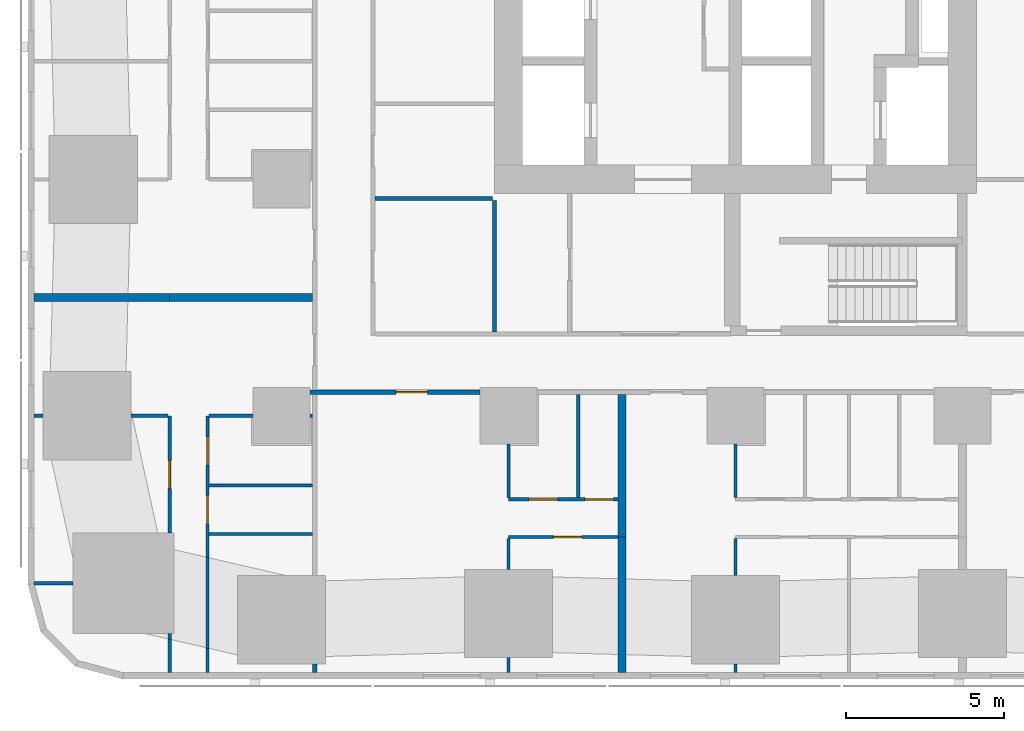
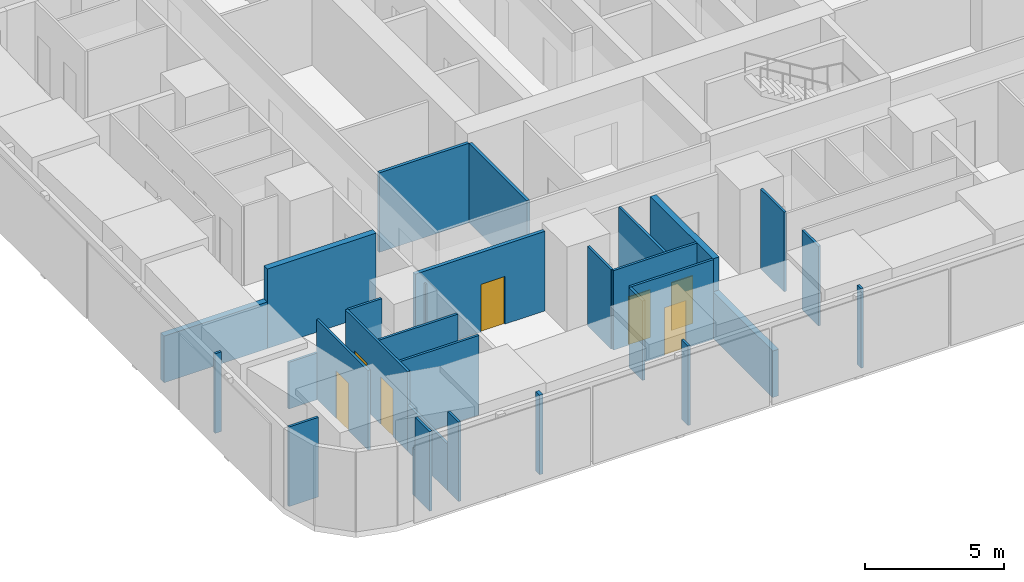
# One storey, part 2 of 16: 30 walls, 7 doors, 7 openings.
"""IFC4 building model written with IfcOpenShell, lengths in metres."""

from ifc_helpers import new_model, si_unit, direction, frame, frame_2d, origin, place, context, subcontext, project, spatial, rectangle, extrude, material, layer, layer_set, type_object, element, fill, save


model = new_model("IFC4")

# Units and contexts
model_context = context("Model", 3, precision=1e-05, world=origin(), true_north=direction((0.0, 1.0)))
body_context = subcontext(model_context, "Body", "Model", "MODEL_VIEW")
ifc_project = project(units=[si_unit("LENGTHUNIT", "METRE"), si_unit("AREAUNIT", "SQUARE_METRE"), si_unit("VOLUMEUNIT", "CUBIC_METRE"), si_unit("PLANEANGLEUNIT", "RADIAN"), si_unit("MASSUNIT", "GRAM", prefix="KILO")], contexts=[model_context])

# Site, building, storey
site_placement = place(None, origin())
site = spatial("IfcSite", under=ifc_project, at=site_placement, CompositionType="ELEMENT")
building_placement = place(site_placement, origin())
building = spatial("IfcBuilding", under=site, at=building_placement, Name="Sheger Commons Tower", CompositionType="ELEMENT")
storey_placement = place(building_placement, frame((0.0, 0.0, 61.25)))
storey = spatial("IfcBuildingStorey", under=building, at=storey_placement, Name="L15", CompositionType="ELEMENT", Elevation=61.25)

# Wall
ifc_material_1 = material(Name="Hollow concrete block masonry, skimmed both sides", Category="masonry")
ifc_layer_1 = layer(ifc_material_1, 0.14990234375)
ifc_layer_set_1 = layer_set([ifc_layer_1], Name="CORRIDOR WALL 150")
wall_type_1 = type_object("IfcWallType", Name="CORRIDOR WALL 150", PredefinedType="SOLIDWALL", material=ifc_layer_set_1)
wall_1_placement = place(storey_placement, frame((8.25, -0.64990234375, 0.0), z_axis=(0.0, 0.0, 1.0), x_axis=(0.0, 1.0, 0.0)))
element("IfcWall", 1, at=wall_1_placement, inside=storey, type_object=wall_type_1, Name="Corridor wall L15", PredefinedType="SOLIDWALL", context=body_context, shape_type="SweptSolid", body=[
    extrude(rectangle(XDim=0.27392578125, YDim=0.14990234375, at=frame_2d((0.136962890625, 0.0))), origin(), (0.0, 0.0, 1.0), 3.5),
])

# Wall, opening, door
wall_2_placement = place(storey_placement, frame((13.4990234375, 8.25, 0.0), z_axis=(0.0, 0.0, 1.0), x_axis=(-1.0, 0.0, 0.0)))
wall_2 = element("IfcWall", 2, at=wall_2_placement, inside=storey, type_object=wall_type_1, Name="Corridor wall L15", PredefinedType="SOLIDWALL", context=body_context, shape_type="SweptSolid", body=[
    extrude(rectangle(XDim=5.39892578125, YDim=0.14990234375, at=frame_2d((2.699462890625, 0.0))), origin(), (0.0, 0.0, 1.0), 3.5),
])
opening_1_placement = place(wall_2_placement, frame((1.674072265625, 0.0, 0.0)))
opening_1 = element("IfcOpeningElement", 3, at=opening_1_placement, cuts=wall_2, Name="Opening D1", PredefinedType="OPENING", context=body_context, shape_type="SweptSolid", body=[
    extrude(rectangle(XDim=1.0, YDim=2.10009765625, at=frame_2d((0.5, 1.050048828125))), frame((0.0, 0.0849609375, 0.0), z_axis=(0.0, -1.0, 0.0), x_axis=(1.0, 0.0, 0.0)), (0.0, 0.0, 1.0), 0.169921875),
])
ifc_material_2 = material(Name="Steel door set, fire rated", Category="steel")
door_type_1 = type_object("IfcDoorType", Name="FLAT ENTRANCE DOOR 1000x2100", OperationType="NOTDEFINED", PredefinedType="DOOR", material=ifc_material_2)
door_1_placement = place(opening_1_placement, origin())
door_1 = element("IfcDoor", 4, at=door_1_placement, inside=storey, type_object=door_type_1, Name="Flat entrance door", OperationType="SINGLE_SWING_RIGHT", OverallHeight=2.10009765625, OverallWidth=1.0, PredefinedType="DOOR", context=body_context, shape_type="SweptSolid", body=[
    extrude(rectangle(XDim=1.0, YDim=2.10009765625, at=frame_2d((0.5, 1.050048828125))), frame((0.0, 0.02490234375, 0.0), z_axis=(0.0, -1.0, 0.0), x_axis=(1.0, 0.0, 0.0)), (0.0, 0.0, 1.0), 0.050048828125),
])
fill(opening_1, door_1)

# Walls
ifc_material_3 = material(Name="Dense concrete block masonry, plastered both sides (separating wall between flats)", Category="masonry")
ifc_layer_2 = layer(ifc_material_3, 0.25)
ifc_layer_set_2 = layer_set([ifc_layer_2], Name="DEMISING WALL 250")
wall_type_2 = type_object("IfcWallType", Name="DEMISING WALL 250", PredefinedType="SOLIDWALL", material=ifc_layer_set_2)
wall_3_placement = place(storey_placement, frame((-0.64990234375, 11.25, 0.0), z_axis=(0.0, 0.0, 1.0), x_axis=(1.0, 0.0, 0.0)))
element("IfcWall", 5, at=wall_3_placement, inside=storey, type_object=wall_type_2, Name="Demising wall L15", PredefinedType="SOLIDWALL", context=body_context, shape_type="SweptSolid", body=[
    extrude(rectangle(XDim=4.2998046875, YDim=0.25, at=frame_2d((2.14990234375, 0.0))), origin(), (0.0, 0.0, 1.0), 2.050048828125),
])
wall_4_placement = place(storey_placement, frame((3.64990234375, 11.25, 0.0), z_axis=(0.0, 0.0, 1.0), x_axis=(1.0, 0.0, 0.0)))
element("IfcWall", 6, at=wall_4_placement, inside=storey, type_object=wall_type_2, Name="Demising wall L15", PredefinedType="SOLIDWALL", context=body_context, shape_type="SweptSolid", body=[
    extrude(rectangle(XDim=4.525146484375, YDim=0.25, at=frame_2d((2.2626953125, 0.0))), origin(), (0.0, 0.0, 1.0), 3.5),
])
wall_5_placement = place(storey_placement, frame((18.0, -0.64990234375, 0.0), z_axis=(0.0, 0.0, 1.0), x_axis=(0.0, 1.0, 0.0)))
element("IfcWall", 7, at=wall_5_placement, inside=storey, type_object=wall_type_2, Name="Demising wall L15", PredefinedType="SOLIDWALL", context=body_context, shape_type="SweptSolid", body=[
    extrude(rectangle(XDim=4.2998046875, YDim=0.25, at=frame_2d((2.14990234375, 0.0))), origin(), (0.0, 0.0, 1.0), 2.050048828125),
])
wall_6_placement = place(storey_placement, frame((18.0, 3.64990234375, 0.0), z_axis=(0.0, 0.0, 1.0), x_axis=(0.0, 1.0, 0.0)))
element("IfcWall", 8, at=wall_6_placement, inside=storey, type_object=wall_type_2, Name="Demising wall L15", PredefinedType="SOLIDWALL", context=body_context, shape_type="SweptSolid", body=[
    extrude(rectangle(XDim=4.525146484375, YDim=0.25, at=frame_2d((2.2626953125, 0.0))), origin(), (0.0, 0.0, 1.0), 3.5),
])
ifc_material_4 = material(Name="Gypsum board on steel studs", Category="steel")
ifc_layer_3 = layer(ifc_material_4, 0.10009765625)
ifc_layer_set_3 = layer_set([ifc_layer_3], Name="PARTITION 100")
wall_type_3 = type_object("IfcWallType", Name="PARTITION 100", PredefinedType="PARTITIONING", material=ifc_layer_set_3)
wall_7_placement = place(storey_placement, frame((3.64990234375, -0.64990234375, 0.0), z_axis=(0.0, 0.0, 1.0), x_axis=(0.0, 1.0, 0.0)))
element("IfcWall", 9, at=wall_7_placement, inside=storey, type_object=wall_type_3, Name="Partition L15", PredefinedType="PARTITIONING", context=body_context, shape_type="SweptSolid", body=[
    extrude(rectangle(XDim=1.0478515625, YDim=0.10009765625, at=frame_2d((0.52392578125, 0.0))), origin(), (0.0, 0.0, 1.0), 3.5),
])
wall_8_placement = place(storey_placement, frame((3.64990234375, 0.39794921875, 0.0), z_axis=(0.0, 0.0, 1.0), x_axis=(0.0, 1.0, 0.0)))
element("IfcWall", 10, at=wall_8_placement, inside=storey, type_object=wall_type_3, Name="Partition L15", PredefinedType="PARTITIONING", context=body_context, shape_type="SweptSolid", body=[
    extrude(rectangle(XDim=0.18701171875, YDim=0.10009765625, at=frame_2d((0.093505859375, 0.0))), origin(), (0.0, 0.0, 1.0), 2.050048828125),
])

# Wall, opening, door
wall_9_placement = place(storey_placement, frame((3.64990234375, 3.787109375, 0.0), z_axis=(0.0, 0.0, 1.0), x_axis=(0.0, 1.0, 0.0)))
wall_9 = element("IfcWall", 11, at=wall_9_placement, inside=storey, type_object=wall_type_3, Name="Partition L15", PredefinedType="PARTITIONING", context=body_context, shape_type="SweptSolid", body=[
    extrude(rectangle(XDim=3.712890625, YDim=0.10009765625, at=frame_2d((1.8564453125, 0.0))), origin(), (0.0, 0.0, 1.0), 3.5),
])
opening_2_placement = place(wall_9_placement, frame((1.39990234375, 0.0, 0.0)))
opening_2 = element("IfcOpeningElement", 12, at=opening_2_placement, cuts=wall_9, Name="Opening D2", PredefinedType="OPENING", context=body_context, shape_type="SweptSolid", body=[
    extrude(rectangle(XDim=0.89990234375, YDim=2.10009765625, at=frame_2d((0.449951171875, 1.050048828125))), frame((0.0, 0.06005859375, 0.0), z_axis=(0.0, -1.0, 0.0), x_axis=(1.0, 0.0, 0.0)), (0.0, 0.0, 1.0), 0.1201171875),
])
ifc_material_5 = material(Name="Timber door set", Category="wood")
door_type_2 = type_object("IfcDoorType", Name="INTERNAL DOOR 900x2100", OperationType="NOTDEFINED", PredefinedType="DOOR", material=ifc_material_5)
door_2_placement = place(opening_2_placement, origin())
door_2 = element("IfcDoor", 13, at=door_2_placement, inside=storey, type_object=door_type_2, Name="Main bedroom door", OperationType="SINGLE_SWING_LEFT", OverallHeight=2.10009765625, OverallWidth=0.89990234375, PredefinedType="DOOR", context=body_context, shape_type="SweptSolid", body=[
    extrude(rectangle(XDim=0.89990234375, YDim=2.10009765625, at=frame_2d((0.449951171875, 1.050048828125))), frame((0.0, 0.02490234375, 0.0), z_axis=(0.0, -1.0, 0.0), x_axis=(1.0, 0.0, 0.0)), (0.0, 0.0, 1.0), 0.050048828125),
])
fill(opening_2, door_2)

# Walls
wall_10_placement = place(storey_placement, frame((4.85009765625, -0.64990234375, 0.0), z_axis=(0.0, 0.0, 1.0), x_axis=(0.0, 1.0, 0.0)))
element("IfcWall", 14, at=wall_10_placement, inside=storey, type_object=wall_type_3, Name="Partition L15", PredefinedType="PARTITIONING", context=body_context, shape_type="SweptSolid", body=[
    extrude(rectangle(XDim=0.77099609375, YDim=0.10009765625, at=frame_2d((0.385498046875, 0.0))), origin(), (0.0, 0.0, 1.0), 3.5),
])
wall_11_placement = place(storey_placement, frame((4.85009765625, 0.12109375, 0.0), z_axis=(0.0, 0.0, 1.0), x_axis=(0.0, 1.0, 0.0)))
element("IfcWall", 15, at=wall_11_placement, inside=storey, type_object=wall_type_3, Name="Partition L15", PredefinedType="PARTITIONING", context=body_context, shape_type="SweptSolid", body=[
    extrude(rectangle(XDim=2.89697265625, YDim=0.10009765625, at=frame_2d((1.448486328125, 0.0))), origin(), (0.0, 0.0, 1.0), 2.050048828125),
])

# Wall, openings, doors
wall_12_placement = place(storey_placement, frame((4.85009765625, 3.01806640625, 0.0), z_axis=(0.0, 0.0, 1.0), x_axis=(0.0, 1.0, 0.0)))
wall_12 = element("IfcWall", 16, at=wall_12_placement, inside=storey, type_object=wall_type_3, Name="Partition L15", PredefinedType="PARTITIONING", context=body_context, shape_type="SweptSolid", body=[
    extrude(rectangle(XDim=4.48193359375, YDim=0.10009765625, at=frame_2d((2.240966796875, 0.0))), origin(), (0.0, 0.0, 1.0), 3.5),
])
opening_3_placement = place(wall_12_placement, frame((2.927001953125, 0.0, 0.0)))
opening_3 = element("IfcOpeningElement", 17, at=opening_3_placement, cuts=wall_12, Name="Opening D2", PredefinedType="OPENING", context=body_context, shape_type="SweptSolid", body=[
    extrude(rectangle(XDim=0.89990234375, YDim=2.10009765625, at=frame_2d((0.449951171875, 1.050048828125))), frame((0.0, 0.06005859375, 0.0), z_axis=(0.0, -1.0, 0.0), x_axis=(1.0, 0.0, 0.0)), (0.0, 0.0, 1.0), 0.1201171875),
])
opening_4_placement = place(wall_12_placement, frame((1.052001953125, 0.0, 0.0)))
opening_4 = element("IfcOpeningElement", 18, at=opening_4_placement, cuts=wall_12, Name="Opening D2", PredefinedType="OPENING", context=body_context, shape_type="SweptSolid", body=[
    extrude(rectangle(XDim=0.89990234375, YDim=2.10009765625, at=frame_2d((0.449951171875, 1.050048828125))), frame((0.0, 0.06005859375, 0.0), z_axis=(0.0, -1.0, 0.0), x_axis=(1.0, 0.0, 0.0)), (0.0, 0.0, 1.0), 0.1201171875),
])
door_3_placement = place(opening_3_placement, origin())
door_3 = element("IfcDoor", 19, at=door_3_placement, inside=storey, type_object=door_type_2, Name="Bathroom door", OperationType="SINGLE_SWING_LEFT", OverallHeight=2.10009765625, OverallWidth=0.89990234375, PredefinedType="DOOR", context=body_context, shape_type="SweptSolid", body=[
    extrude(rectangle(XDim=0.89990234375, YDim=2.10009765625, at=frame_2d((0.449951171875, 1.050048828125))), frame((0.0, 0.02490234375, 0.0), z_axis=(0.0, -1.0, 0.0), x_axis=(1.0, 0.0, 0.0)), (0.0, 0.0, 1.0), 0.050048828125),
])
fill(opening_3, door_3)
door_4_placement = place(opening_4_placement, origin())
door_4 = element("IfcDoor", 20, at=door_4_placement, inside=storey, type_object=door_type_2, Name="Store door", OperationType="SINGLE_SWING_RIGHT", OverallHeight=2.10009765625, OverallWidth=0.89990234375, PredefinedType="DOOR", context=body_context, shape_type="SweptSolid", body=[
    extrude(rectangle(XDim=0.89990234375, YDim=2.10009765625, at=frame_2d((0.449951171875, 1.050048828125))), frame((0.0, 0.02490234375, 0.0), z_axis=(0.0, -1.0, 0.0), x_axis=(1.0, 0.0, 0.0)), (0.0, 0.0, 1.0), 0.050048828125),
])
fill(opening_4, door_4)

# Walls
wall_13_placement = place(storey_placement, frame((-0.64990234375, 2.18603515625, 0.0), z_axis=(0.0, 0.0, 1.0), x_axis=(1.0, 0.0, 0.0)))
element("IfcWall", 21, at=wall_13_placement, inside=storey, type_object=wall_type_3, Name="Partition L15", PredefinedType="PARTITIONING", context=body_context, shape_type="SweptSolid", body=[
    extrude(rectangle(XDim=1.23486328125, YDim=0.10009765625, at=frame_2d((0.617431640625, 0.0))), origin(), (0.0, 0.0, 1.0), 3.5),
])
wall_14_placement = place(storey_placement, frame((-0.64990234375, 7.5, 0.0), z_axis=(0.0, 0.0, 1.0), x_axis=(1.0, 0.0, 0.0)))
element("IfcWall", 22, at=wall_14_placement, inside=storey, type_object=wall_type_3, Name="Partition L15", PredefinedType="PARTITIONING", context=body_context, shape_type="SweptSolid", body=[
    extrude(rectangle(XDim=0.27392578125, YDim=0.10009765625, at=frame_2d((0.136962890625, 0.0))), origin(), (0.0, 0.0, 1.0), 3.5),
])
wall_15_placement = place(storey_placement, frame((2.426025390625, 7.5, 0.0), z_axis=(0.0, 0.0, 1.0), x_axis=(1.0, 0.0, 0.0)))
element("IfcWall", 23, at=wall_15_placement, inside=storey, type_object=wall_type_3, Name="Partition L15", PredefinedType="PARTITIONING", context=body_context, shape_type="SweptSolid", body=[
    extrude(rectangle(XDim=1.174072265625, YDim=0.10009765625, at=frame_2d((0.5869140625, 0.0))), origin(), (0.0, 0.0, 1.0), 2.050048828125),
])
wall_16_placement = place(storey_placement, frame((4.89990234375, 3.75, 0.0), z_axis=(0.0, 0.0, 1.0), x_axis=(1.0, 0.0, 0.0)))
element("IfcWall", 24, at=wall_16_placement, inside=storey, type_object=wall_type_3, Name="Partition L15", PredefinedType="PARTITIONING", context=body_context, shape_type="SweptSolid", body=[
    extrude(rectangle(XDim=3.275146484375, YDim=0.10009765625, at=frame_2d((1.6376953125, 0.0))), origin(), (0.0, 0.0, 1.0), 3.5),
])
wall_17_placement = place(storey_placement, frame((4.89990234375, 7.5, 0.0), z_axis=(0.0, 0.0, 1.0), x_axis=(1.0, 0.0, 0.0)))
element("IfcWall", 25, at=wall_17_placement, inside=storey, type_object=wall_type_3, Name="Partition L15", PredefinedType="PARTITIONING", context=body_context, shape_type="SweptSolid", body=[
    extrude(rectangle(XDim=1.399169921875, YDim=0.10009765625, at=frame_2d((0.69970703125, 0.0))), origin(), (0.0, 0.0, 1.0), 3.5),
])
wall_18_placement = place(storey_placement, frame((8.10107421875, 7.5, 0.0), z_axis=(0.0, 0.0, 1.0), x_axis=(1.0, 0.0, 0.0)))
element("IfcWall", 26, at=wall_18_placement, inside=storey, type_object=wall_type_3, Name="Partition L15", PredefinedType="PARTITIONING", context=body_context, shape_type="SweptSolid", body=[
    extrude(rectangle(XDim=0.073974609375, YDim=0.10009765625, at=frame_2d((0.037109375, 0.0))), origin(), (0.0, 0.0, 1.0), 3.5),
])
wall_19_placement = place(storey_placement, frame((4.89990234375, 5.2900390625, 0.0), z_axis=(0.0, 0.0, 1.0), x_axis=(1.0, 0.0, 0.0)))
element("IfcWall", 27, at=wall_19_placement, inside=storey, type_object=wall_type_3, Name="Partition L15", PredefinedType="PARTITIONING", context=body_context, shape_type="SweptSolid", body=[
    extrude(rectangle(XDim=3.275146484375, YDim=0.10009765625, at=frame_2d((1.6376953125, 0.0))), origin(), (0.0, 0.0, 1.0), 3.5),
])

# Wall, opening, door
wall_20_placement = place(storey_placement, frame((17.875, 3.64990234375, 0.0), z_axis=(0.0, 0.0, 1.0), x_axis=(-1.0, 0.0, 0.0)))
wall_20 = element("IfcWall", 28, at=wall_20_placement, inside=storey, type_object=wall_type_3, Name="Partition L15", PredefinedType="PARTITIONING", context=body_context, shape_type="SweptSolid", body=[
    extrude(rectangle(XDim=3.47509765625, YDim=0.10009765625, at=frame_2d((1.737548828125, 0.0))), origin(), (0.0, 0.0, 1.0), 3.5),
])
opening_5_placement = place(wall_20_placement, frame((1.14990234375, 0.0, 0.0)))
opening_5 = element("IfcOpeningElement", 29, at=opening_5_placement, cuts=wall_20, Name="Opening D2", PredefinedType="OPENING", context=body_context, shape_type="SweptSolid", body=[
    extrude(rectangle(XDim=0.89990234375, YDim=2.10009765625, at=frame_2d((0.449951171875, 1.050048828125))), frame((0.0, 0.06005859375, 0.0), z_axis=(0.0, -1.0, 0.0), x_axis=(1.0, 0.0, 0.0)), (0.0, 0.0, 1.0), 0.1201171875),
])
door_5_placement = place(opening_5_placement, origin())
door_5 = element("IfcDoor", 30, at=door_5_placement, inside=storey, type_object=door_type_2, Name="Main bedroom door", OperationType="SINGLE_SWING_LEFT", OverallHeight=2.10009765625, OverallWidth=0.89990234375, PredefinedType="DOOR", context=body_context, shape_type="SweptSolid", body=[
    extrude(rectangle(XDim=0.89990234375, YDim=2.10009765625, at=frame_2d((0.449951171875, 1.050048828125))), frame((0.0, 0.02490234375, 0.0), z_axis=(0.0, -1.0, 0.0), x_axis=(1.0, 0.0, 0.0)), (0.0, 0.0, 1.0), 0.050048828125),
])
fill(opening_5, door_5)

# Wall, openings, doors
wall_21_placement = place(storey_placement, frame((17.875, 4.85009765625, 0.0), z_axis=(0.0, 0.0, 1.0), x_axis=(-1.0, 0.0, 0.0)))
wall_21 = element("IfcWall", 31, at=wall_21_placement, inside=storey, type_object=wall_type_3, Name="Partition L15", PredefinedType="PARTITIONING", context=body_context, shape_type="SweptSolid", body=[
    extrude(rectangle(XDim=3.47509765625, YDim=0.10009765625, at=frame_2d((1.737548828125, 0.0))), origin(), (0.0, 0.0, 1.0), 3.5),
])
opening_6_placement = place(wall_21_placement, frame((1.919921875, 0.0, 0.0)))
opening_6 = element("IfcOpeningElement", 32, at=opening_6_placement, cuts=wall_21, Name="Opening D2", PredefinedType="OPENING", context=body_context, shape_type="SweptSolid", body=[
    extrude(rectangle(XDim=0.89990234375, YDim=2.10009765625, at=frame_2d((0.449951171875, 1.050048828125))), frame((0.0, 0.06005859375, 0.0), z_axis=(0.0, -1.0, 0.0), x_axis=(1.0, 0.0, 0.0)), (0.0, 0.0, 1.0), 0.1201171875),
])
opening_7_placement = place(wall_21_placement, frame((0.14990234375, 0.0, 0.0)))
opening_7 = element("IfcOpeningElement", 33, at=opening_7_placement, cuts=wall_21, Name="Opening D2", PredefinedType="OPENING", context=body_context, shape_type="SweptSolid", body=[
    extrude(rectangle(XDim=0.89990234375, YDim=2.10009765625, at=frame_2d((0.449951171875, 1.050048828125))), frame((0.0, 0.06005859375, 0.0), z_axis=(0.0, -1.0, 0.0), x_axis=(1.0, 0.0, 0.0)), (0.0, 0.0, 1.0), 0.1201171875),
])
door_6_placement = place(opening_6_placement, origin())
door_6 = element("IfcDoor", 34, at=door_6_placement, inside=storey, type_object=door_type_2, Name="Bathroom door", OperationType="SINGLE_SWING_LEFT", OverallHeight=2.10009765625, OverallWidth=0.89990234375, PredefinedType="DOOR", context=body_context, shape_type="SweptSolid", body=[
    extrude(rectangle(XDim=0.89990234375, YDim=2.10009765625, at=frame_2d((0.449951171875, 1.050048828125))), frame((0.0, 0.02490234375, 0.0), z_axis=(0.0, -1.0, 0.0), x_axis=(1.0, 0.0, 0.0)), (0.0, 0.0, 1.0), 0.050048828125),
])
fill(opening_6, door_6)
door_7_placement = place(opening_7_placement, origin())
door_7 = element("IfcDoor", 35, at=door_7_placement, inside=storey, type_object=door_type_2, Name="Store door", OperationType="SINGLE_SWING_RIGHT", OverallHeight=2.10009765625, OverallWidth=0.89990234375, PredefinedType="DOOR", context=body_context, shape_type="SweptSolid", body=[
    extrude(rectangle(XDim=0.89990234375, YDim=2.10009765625, at=frame_2d((0.449951171875, 1.050048828125))), frame((0.0, 0.02490234375, 0.0), z_axis=(0.0, -1.0, 0.0), x_axis=(1.0, 0.0, 0.0)), (0.0, 0.0, 1.0), 0.050048828125),
])
fill(opening_7, door_7)

# Walls
wall_22_placement = place(storey_placement, frame((14.39990234375, -0.64990234375, 0.0), z_axis=(0.0, 0.0, 1.0), x_axis=(0.0, 1.0, 0.0)))
element("IfcWall", 36, at=wall_22_placement, inside=storey, type_object=wall_type_3, Name="Partition L15", PredefinedType="PARTITIONING", context=body_context, shape_type="SweptSolid", body=[
    extrude(rectangle(XDim=0.473876953125, YDim=0.10009765625, at=frame_2d((0.23681640625, 0.0))), origin(), (0.0, 0.0, 1.0), 3.5),
])
wall_23_placement = place(storey_placement, frame((14.39990234375, 2.6259765625, 0.0), z_axis=(0.0, 0.0, 1.0), x_axis=(0.0, 1.0, 0.0)))
element("IfcWall", 37, at=wall_23_placement, inside=storey, type_object=wall_type_3, Name="Partition L15", PredefinedType="PARTITIONING", context=body_context, shape_type="SweptSolid", body=[
    extrude(rectangle(XDim=0.97412109375, YDim=0.10009765625, at=frame_2d((0.487060546875, 0.0))), origin(), (0.0, 0.0, 1.0), 3.5),
])
wall_24_placement = place(storey_placement, frame((14.39990234375, 4.89990234375, 0.0), z_axis=(0.0, 0.0, 1.0), x_axis=(0.0, 1.0, 0.0)))
element("IfcWall", 38, at=wall_24_placement, inside=storey, type_object=wall_type_3, Name="Partition L15", PredefinedType="PARTITIONING", context=body_context, shape_type="SweptSolid", body=[
    extrude(rectangle(XDim=1.69921875, YDim=0.10009765625, at=frame_2d((0.849609375, 0.0))), origin(), (0.0, 0.0, 1.0), 3.5),
])
wall_25_placement = place(storey_placement, frame((16.610107421875, 4.89990234375, 0.0), z_axis=(0.0, 0.0, 1.0), x_axis=(0.0, 1.0, 0.0)))
element("IfcWall", 39, at=wall_25_placement, inside=storey, type_object=wall_type_3, Name="Partition L15", PredefinedType="PARTITIONING", context=body_context, shape_type="SweptSolid", body=[
    extrude(rectangle(XDim=3.275146484375, YDim=0.10009765625, at=frame_2d((1.6376953125, 0.0))), origin(), (0.0, 0.0, 1.0), 3.5),
])
wall_26_placement = place(storey_placement, frame((21.60009765625, -0.64990234375, 0.0), z_axis=(0.0, 0.0, 1.0), x_axis=(0.0, 1.0, 0.0)))
element("IfcWall", 40, at=wall_26_placement, inside=storey, type_object=wall_type_3, Name="Partition L15", PredefinedType="PARTITIONING", context=body_context, shape_type="SweptSolid", body=[
    extrude(rectangle(XDim=0.27392578125, YDim=0.10009765625, at=frame_2d((0.136962890625, 0.0))), origin(), (0.0, 0.0, 1.0), 3.5),
])
wall_27_placement = place(storey_placement, frame((21.60009765625, 2.426025390625, 0.0), z_axis=(0.0, 0.0, 1.0), x_axis=(0.0, 1.0, 0.0)))
element("IfcWall", 41, at=wall_27_placement, inside=storey, type_object=wall_type_3, Name="Partition L15", PredefinedType="PARTITIONING", context=body_context, shape_type="SweptSolid", body=[
    extrude(rectangle(XDim=1.174072265625, YDim=0.10009765625, at=frame_2d((0.5869140625, 0.0))), origin(), (0.0, 0.0, 1.0), 3.5),
])
wall_28_placement = place(storey_placement, frame((21.60009765625, 4.89990234375, 0.0), z_axis=(0.0, 0.0, 1.0), x_axis=(0.0, 1.0, 0.0)))
element("IfcWall", 42, at=wall_28_placement, inside=storey, type_object=wall_type_3, Name="Partition L15", PredefinedType="PARTITIONING", context=body_context, shape_type="SweptSolid", body=[
    extrude(rectangle(XDim=1.69921875, YDim=0.10009765625, at=frame_2d((0.849609375, 0.0))), origin(), (0.0, 0.0, 1.0), 3.5),
])
ifc_material_6 = material(Name="Gypsum board on steel studs, two layers each side, fire rated", Category="steel")
ifc_layer_4 = layer(ifc_material_6, 0.125)
ifc_layer_set_4 = layer_set([ifc_layer_4], Name="SERVICE WALL 125")
wall_type_4 = type_object("IfcWallType", Name="SERVICE WALL 125", PredefinedType="PARTITIONING", material=ifc_layer_set_4)
wall_29_placement = place(storey_placement, frame((10.1630859375, 14.39990234375, 0.0), z_axis=(0.0, 0.0, 1.0), x_axis=(1.0, 0.0, 0.0)))
element("IfcWall", 43, at=wall_29_placement, inside=storey, type_object=wall_type_4, Name="Service room wall L15", PredefinedType="PARTITIONING", context=body_context, shape_type="SweptSolid", body=[
    extrude(rectangle(XDim=3.724853515625, YDim=0.125, at=frame_2d((1.8623046875, 0.0))), origin(), (0.0, 0.0, 1.0), 3.5),
])
wall_30_placement = place(storey_placement, frame((13.949951171875, 10.1630859375, 0.0), z_axis=(0.0, 0.0, 1.0), x_axis=(0.0, 1.0, 0.0)))
element("IfcWall", 44, at=wall_30_placement, inside=storey, type_object=wall_type_4, Name="Service room wall L15", PredefinedType="PARTITIONING", context=body_context, shape_type="SweptSolid", body=[
    extrude(rectangle(XDim=4.1748046875, YDim=0.125, at=frame_2d((2.08740234375, 0.0))), origin(), (0.0, 0.0, 1.0), 3.5),
])

save(model, "model.ifc")
